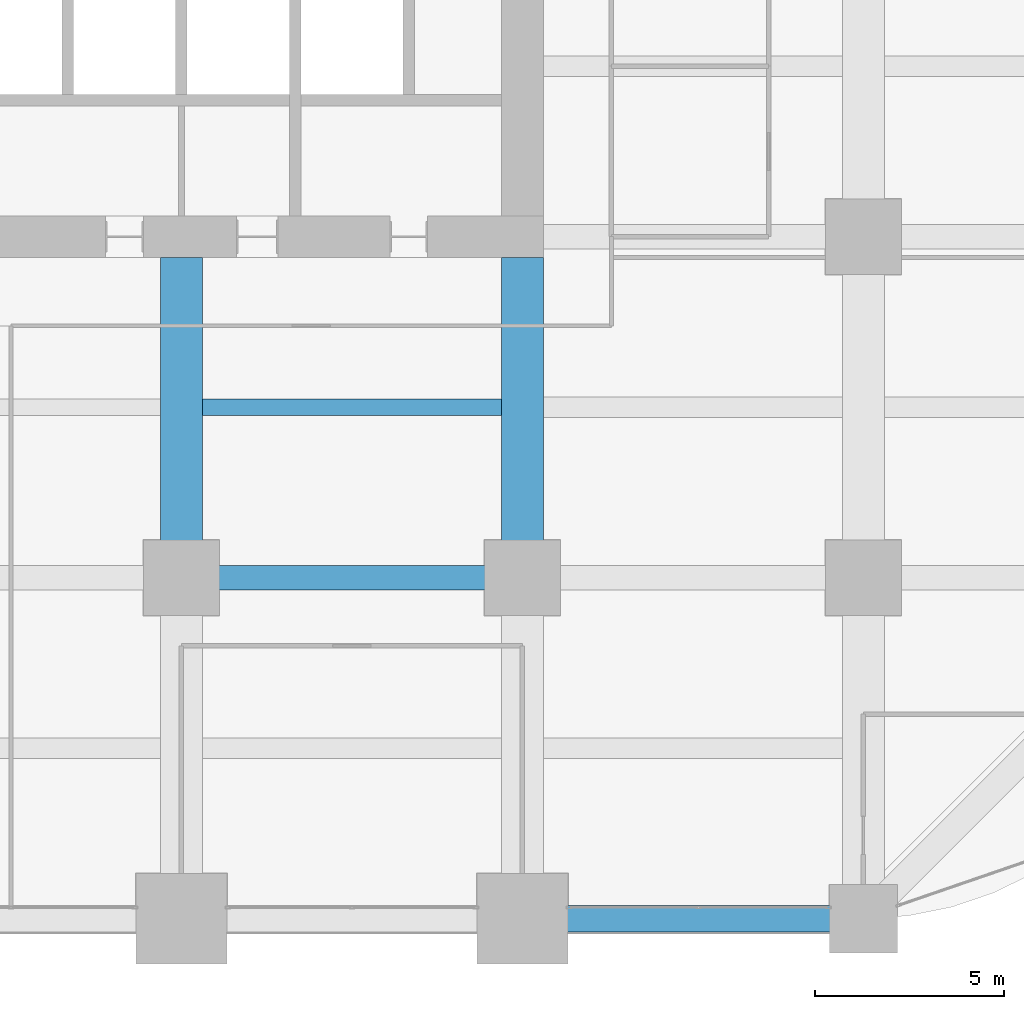
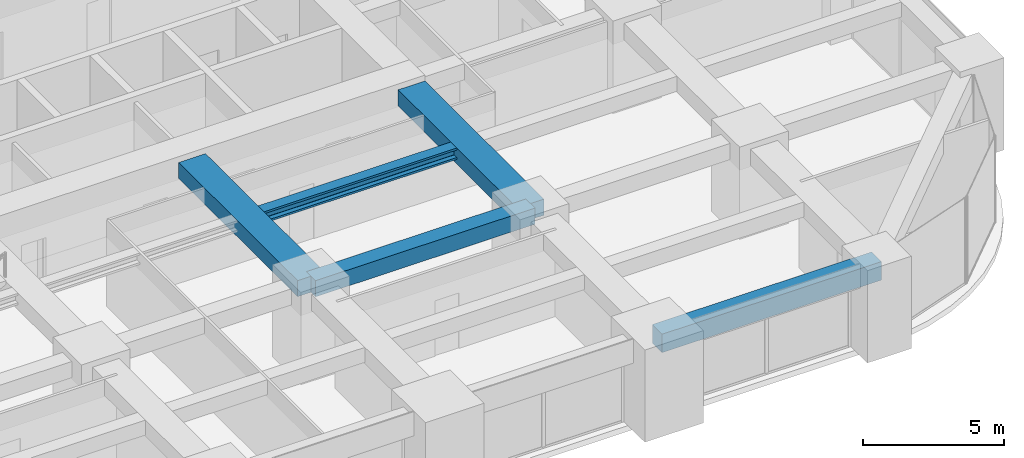
# One storey, part 15 of 39: 5 beams.
"""IFC4 building model written with IfcOpenShell, lengths in metres."""

from ifc_helpers import new_model, si_unit, direction, frame, origin, origin_2d, place, context, subcontext, project, spatial, rectangle, i_section, extrude, material, material_profile, profile_set, type_object, element, save


model = new_model("IFC4")

# Units and contexts
model_context = context("Model", 3, precision=1e-05, world=origin(), true_north=direction((0.0, 1.0)))
body_context = subcontext(model_context, "Body", "Model", "MODEL_VIEW")
ifc_project = project(units=[si_unit("LENGTHUNIT", "METRE"), si_unit("AREAUNIT", "SQUARE_METRE"), si_unit("VOLUMEUNIT", "CUBIC_METRE"), si_unit("PLANEANGLEUNIT", "RADIAN"), si_unit("MASSUNIT", "GRAM", prefix="KILO")], contexts=[model_context])

# Site, building, storey
site_placement = place(None, origin())
site = spatial("IfcSite", under=ifc_project, at=site_placement, CompositionType="ELEMENT")
building_placement = place(site_placement, origin())
building = spatial("IfcBuilding", under=site, at=building_placement, Name="Zorevar Civic Tower", CompositionType="ELEMENT")
storey_placement = place(building_placement, frame((0.0, 0.0, 117.0)))
storey = spatial("IfcBuildingStorey", under=building, at=storey_placement, Name="L28", CompositionType="ELEMENT", Elevation=117.0)

# Beams
ifc_material_1 = material(Name="Concrete C50/60", Category="concrete")
ifc_material_profile_1 = material_profile(ifc_material_1, rectangle(XDim=1.10009765625, YDim=0.699951171875, at=origin_2d()), Name="RC 1100x700")
ifc_profile_set_1 = profile_set([ifc_material_profile_1], Name="Concrete C50/60")
beam_type_1 = type_object("IfcBeamType", Name="Beam RC 1100x700", PredefinedType="BEAM", material=ifc_profile_set_1)
for number, where, z_axis, x_axis, name in (
    (1, (36.0, 9.0, 3.39990234375), (0.0, 1.0, 0.0), (-1.0, 0.0, 0.0), "Girder L29"),
    (2, (45.0, 9.0, 3.39990234375), (0.0, 1.0, 0.0), (-1.0, 0.0, 0.0), "Girder L29"),
):
    element("IfcBeam", number, at=place(storey_placement, frame(where, z_axis=z_axis, x_axis=x_axis)), inside=storey, type_object=beam_type_1, Name=name, PredefinedType="BEAM", context=body_context, shape_type="SweptSolid", body=[
        extrude(rectangle(XDim=1.10009765625, YDim=0.699951171875, at=origin_2d()), origin(), (0.0, 0.0, 1.0), 8.449951171875),
    ])
ifc_material_2 = material(Name="Concrete C50/60", Category="concrete")
ifc_material_profile_2 = material_profile(ifc_material_2, rectangle(XDim=0.64990234375, YDim=0.699951171875, at=origin_2d()), Name="RC 650x700")
ifc_profile_set_2 = profile_set([ifc_material_profile_2], Name="Concrete C50/60")
beam_type_2 = type_object("IfcBeamType", Name="Beam RC 650x700", PredefinedType="BEAM", material=ifc_profile_set_2)
beam_1_placement = place(storey_placement, frame((36.0, 9.0, 3.39990234375), z_axis=(1.0, 0.0, 0.0), x_axis=(0.0, 1.0, 0.0)))
element("IfcBeam", 3, at=beam_1_placement, inside=storey, type_object=beam_type_2, Name="Girder L29", PredefinedType="BEAM", context=body_context, shape_type="SweptSolid", body=[
    extrude(rectangle(XDim=0.64990234375, YDim=0.699951171875, at=origin_2d()), origin(), (0.0, 0.0, 1.0), 9.0),
])
ifc_material_3 = material(Name="Steel S460M (HISTAR 460)", Category="steel")
ifc_material_profile_3 = material_profile(ifc_material_3, i_section(OverallWidth=0.431884765625, OverallDepth=0.498046875, WebThickness=0.0556640625, FlangeThickness=0.0888671875, FilletRadius=0.014892578125, at=origin_2d()), Name="HD 400x744")
ifc_profile_set_3 = profile_set([ifc_material_profile_3], Name="Steel S460M (HISTAR 460)")
beam_type_3 = type_object("IfcBeamType", Name="Core bay beam HD 400x744", PredefinedType="BEAM", material=ifc_profile_set_3)
beam_2_placement = place(storey_placement, frame((36.550048828125, 13.5, 3.5009765625), z_axis=(1.0, 0.0, 0.0), x_axis=(0.0, 1.0, 0.0)))
element("IfcBeam", 4, at=beam_2_placement, inside=storey, type_object=beam_type_3, Name="Secondary beam L29", PredefinedType="BEAM", context=body_context, shape_type="SweptSolid", body=[
    extrude(i_section(OverallWidth=0.431884765625, OverallDepth=0.498046875, WebThickness=0.0556640625, FlangeThickness=0.0888671875, FilletRadius=0.014892578125, at=origin_2d()), origin(), (0.0, 0.0, 1.0), 7.89990234375),
])
ifc_material_4 = material(Name="Concrete C50/60", Category="concrete")
ifc_material_profile_4 = material_profile(ifc_material_4, rectangle(XDim=0.699951171875, YDim=0.800048828125, at=origin_2d()), Name="RC 700x800")
ifc_profile_set_4 = profile_set([ifc_material_profile_4], Name="Concrete C50/60")
beam_type_4 = type_object("IfcBeamType", Name="Edge beam RC 700x800", PredefinedType="SPANDREL", material=ifc_profile_set_4)
beam_3_placement = place(storey_placement, frame((45.0, 0.0, 3.35009765625), z_axis=(1.0, 0.0, 0.0), x_axis=(0.0, 1.0, 0.0)))
element("IfcBeam", 5, at=beam_3_placement, inside=storey, type_object=beam_type_4, Name="Edge beam L29", PredefinedType="SPANDREL", context=body_context, shape_type="SweptSolid", body=[
    extrude(rectangle(XDim=0.699951171875, YDim=0.800048828125, at=origin_2d()), origin(), (0.0, 0.0, 1.0), 9.0),
])

save(model, "model.ifc")
